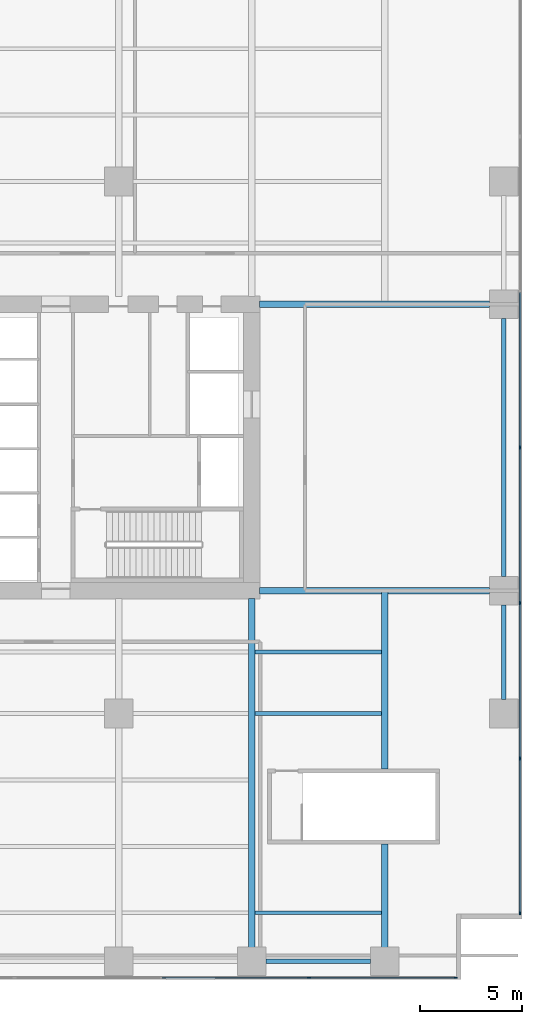
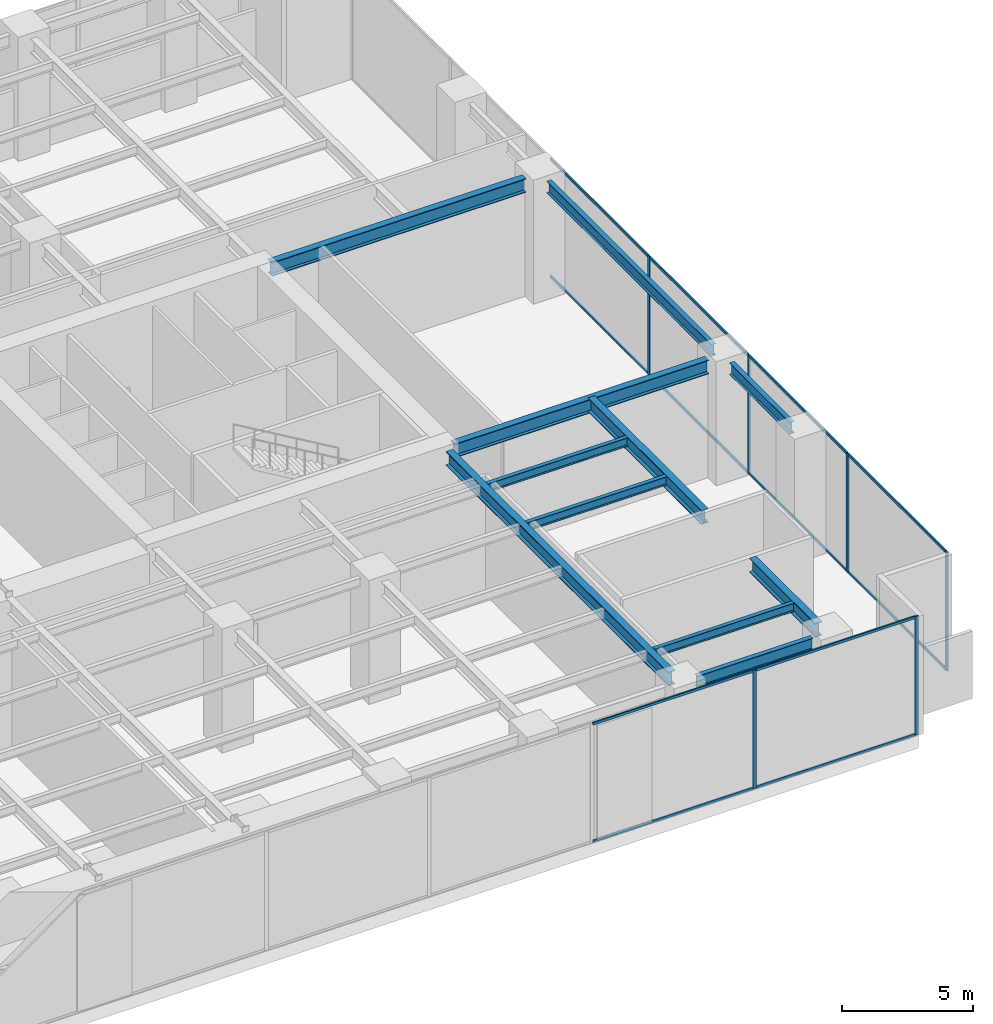
# One storey, part 14 of 25: 18 members, 11 beams, 2 elements without a shape of their own.
"""IFC4 building model written with IfcOpenShell, lengths in metres."""

from ifc_helpers import new_model, si_unit, direction, frame, origin, origin_2d, place, context, subcontext, project, spatial, rectangle, i_section, extrude, material, layer, layer_set, material_profile, profile_set, type_object, element, aggregate, save


model = new_model("IFC4")

# Units and contexts
model_context = context("Model", 3, precision=1e-05, world=origin(), true_north=direction((0.0, 1.0)))
body_context = subcontext(model_context, "Body", "Model", "MODEL_VIEW")
ifc_project = project(units=[si_unit("LENGTHUNIT", "METRE"), si_unit("AREAUNIT", "SQUARE_METRE"), si_unit("VOLUMEUNIT", "CUBIC_METRE"), si_unit("PLANEANGLEUNIT", "RADIAN"), si_unit("MASSUNIT", "GRAM", prefix="KILO")], contexts=[model_context])

# Site, building, storey
site_placement = place(None, origin())
site = spatial("IfcSite", under=ifc_project, at=site_placement, CompositionType="ELEMENT")
building_placement = place(site_placement, origin())
building = spatial("IfcBuilding", under=site, at=building_placement, Name="Putna Gate Headquarters", CompositionType="ELEMENT")
storey_placement = place(building_placement, frame((0.0, 0.0, 22.0)))
storey = spatial("IfcBuildingStorey", under=building, at=storey_placement, Name="L04", CompositionType="ELEMENT", Elevation=22.0)

# Beams
ifc_material_1 = material(Name="Steel S355J2", Category="steel")
ifc_material_profile_1 = material_profile(ifc_material_1, i_section(OverallWidth=0.300048828125, OverallDepth=0.64990234375, WebThickness=0.01611328125, FlangeThickness=0.031005859375, at=origin_2d()), Name="Steel S355J2")
ifc_profile_set_1 = profile_set([ifc_material_profile_1], Name="Steel S355J2")
beam_type_1 = type_object("IfcBeamType", Name="BM-GIRD-Z1-HEB650", PredefinedType="USERDEFINED", material=ifc_profile_set_1)
for number, where, z_axis, x_axis, name in (
    (1, (65.385009765625, 19.0, 5.22509765625), (1.0, 0.0, 0.0), (0.0, 1.0, 0.0), "L04 East Wing Girder Y19"),
    (2, (65.385009765625, 33.0, 5.22509765625), (1.0, 0.0, 0.0), (0.0, 1.0, 0.0), "L04 East Wing Girder Y33"),
):
    element("IfcBeam", number, at=place(storey_placement, frame(where, z_axis=z_axis, x_axis=x_axis)), inside=storey, type_object=beam_type_1, Name=name, ObjectType="GIRDER", PredefinedType="USERDEFINED", context=body_context, shape_type="SweptSolid", body=[
        extrude(i_section(OverallWidth=0.300048828125, OverallDepth=0.64990234375, WebThickness=0.01611328125, FlangeThickness=0.031005859375, at=origin_2d()), origin(), (0.0, 0.0, 1.0), 11.2470703125),
    ])
beam_1_placement = place(storey_placement, frame((65.0, 1.568115234375, 5.22509765625), z_axis=(0.0, 1.0, 0.0), x_axis=(-1.0, 0.0, 0.0)))
element("IfcBeam", 3, at=beam_1_placement, inside=storey, type_object=beam_type_1, Name="L04 South Primary Girder X65", ObjectType="GIRDER", PredefinedType="USERDEFINED", context=body_context, shape_type="SweptSolid", body=[
    extrude(i_section(OverallWidth=0.300048828125, OverallDepth=0.64990234375, WebThickness=0.01611328125, FlangeThickness=0.031005859375, at=origin_2d()), origin(), (0.0, 0.0, 1.0), 17.046875),
])
beam_2_placement = place(storey_placement, frame((71.5, 1.568115234375, 5.22509765625), z_axis=(0.0, 1.0, 0.0), x_axis=(-1.0, 0.0, 0.0)))
element("IfcBeam", 4, at=beam_2_placement, inside=storey, type_object=beam_type_1, Name="L04 South Girder X71-A", ObjectType="GIRDER", PredefinedType="USERDEFINED", context=body_context, shape_type="SweptSolid", body=[
    extrude(i_section(OverallWidth=0.300048828125, OverallDepth=0.64990234375, WebThickness=0.01611328125, FlangeThickness=0.031005859375, at=origin_2d()), origin(), (0.0, 0.0, 1.0), 5.056884765625),
])
beam_3_placement = place(storey_placement, frame((71.5, 10.27490234375, 5.22509765625), z_axis=(0.0, 1.0, 0.0), x_axis=(-1.0, 0.0, 0.0)))
element("IfcBeam", 5, at=beam_3_placement, inside=storey, type_object=beam_type_1, Name="L04 South Girder X71-B", ObjectType="GIRDER", PredefinedType="USERDEFINED", context=body_context, shape_type="SweptSolid", body=[
    extrude(i_section(OverallWidth=0.300048828125, OverallDepth=0.64990234375, WebThickness=0.01611328125, FlangeThickness=0.031005859375, at=origin_2d()), origin(), (0.0, 0.0, 1.0), 8.713134765625),
])
ifc_material_profile_2 = material_profile(ifc_material_1, i_section(OverallWidth=0.179931640625, OverallDepth=0.39990234375, WebThickness=0.008544921875, FlangeThickness=0.013427734375, at=origin_2d()), Name="Steel S355J2")
ifc_profile_set_2 = profile_set([ifc_material_profile_2], Name="Steel S355J2")
beam_type_2 = type_object("IfcBeamType", Name="BM-SEC-Z1-IPE400", PredefinedType="BEAM", material=ifc_profile_set_2)
for number, where, z_axis, x_axis, name in (
    (6, (65.154052734375, 3.25, 5.35009765625), (1.0, 0.0, 0.0), (0.0, 1.0, 0.0), "L04 South Secondary Beam 10"),
    (7, (65.154052734375, 13.0, 5.35009765625), (1.0, 0.0, 0.0), (0.0, 1.0, 0.0), "L04 South Secondary Beam 10"),
    (8, (65.154052734375, 16.0, 5.35009765625), (1.0, 0.0, 0.0), (0.0, 1.0, 0.0), "L04 South Secondary Beam 10"),
):
    element("IfcBeam", number, at=place(storey_placement, frame(where, z_axis=z_axis, x_axis=x_axis)), inside=storey, type_object=beam_type_2, Name=name, PredefinedType="BEAM", context=body_context, shape_type="SweptSolid", body=[
        extrude(i_section(OverallWidth=0.179931640625, OverallDepth=0.39990234375, WebThickness=0.008544921875, FlangeThickness=0.013427734375, at=origin_2d()), origin(), (0.0, 0.0, 1.0), 6.19189453125),
    ])
ifc_material_profile_3 = material_profile(ifc_material_1, i_section(OverallWidth=0.2099609375, OverallDepth=0.550048828125, WebThickness=0.010986328125, FlangeThickness=0.01708984375, at=origin_2d()), Name="Steel S355J2")
ifc_profile_set_3 = profile_set([ifc_material_profile_3], Name="Steel S355J2")
beam_type_3 = type_object("IfcBeamType", Name="BM-SPAN-Z1-IPE550", PredefinedType="SPANDREL", material=ifc_profile_set_3)
beam_4_placement = place(storey_placement, frame((65.68798828125, 0.8798828125, 5.27490234375), z_axis=(1.0, 0.0, 0.0), x_axis=(0.0, 1.0, 0.0)))
element("IfcBeam", 9, at=beam_4_placement, inside=storey, type_object=beam_type_3, Name="L04 S Perimeter Spandrel 10", PredefinedType="SPANDREL", context=body_context, shape_type="SweptSolid", body=[
    extrude(i_section(OverallWidth=0.2099609375, OverallDepth=0.550048828125, WebThickness=0.010986328125, FlangeThickness=0.01708984375, at=origin_2d()), origin(), (0.0, 0.0, 1.0), 5.1240234375),
])
beam_5_placement = place(storey_placement, frame((77.320068359375, 13.68798828125, 5.27490234375), z_axis=(0.0, 1.0, 0.0), x_axis=(-1.0, 0.0, 0.0)))
element("IfcBeam", 10, at=beam_5_placement, inside=storey, type_object=beam_type_3, Name="L04 E End Spandrel 1", PredefinedType="SPANDREL", context=body_context, shape_type="SweptSolid", body=[
    extrude(i_section(OverallWidth=0.2099609375, OverallDepth=0.550048828125, WebThickness=0.010986328125, FlangeThickness=0.01708984375, at=origin_2d()), origin(), (0.0, 0.0, 1.0), 4.6240234375),
])
beam_6_placement = place(storey_placement, frame((77.320068359375, 19.68798828125, 5.27490234375), z_axis=(0.0, 1.0, 0.0), x_axis=(-1.0, 0.0, 0.0)))
element("IfcBeam", 11, at=beam_6_placement, inside=storey, type_object=beam_type_3, Name="L04 E End Spandrel 2", PredefinedType="SPANDREL", context=body_context, shape_type="SweptSolid", body=[
    extrude(i_section(OverallWidth=0.2099609375, OverallDepth=0.550048828125, WebThickness=0.010986328125, FlangeThickness=0.01708984375, at=origin_2d()), origin(), (0.0, 0.0, 1.0), 12.6240234375),
])

# Curtain wall, members
ifc_material_2 = material(Name="Anodised bronze aluminium curtain wall", Category="aluminium")
ifc_layer = layer(ifc_material_2, 0.159912109375)
ifc_layer_set = layer_set([ifc_layer], Name="Anodised bronze aluminium curtain wall")
curtain_wall_type = type_object("IfcCurtainWallType", Name="CW-SYS-CRN", PredefinedType="USERDEFINED", material=ifc_layer_set)
curtain_wall_1_placement = place(storey_placement, origin())
curtain_wall_1 = element("IfcCurtainWall", 12, at=curtain_wall_1_placement, inside=storey, type_object=curtain_wall_type, Name="L04 Acoustic Louvre South Enclosure", ObjectType="STICK CURTAIN WALL", PredefinedType="USERDEFINED")
ifc_material_3 = material(Name="Anodised bronze aluminium EN AW-6060", Category="aluminium")
ifc_material_profile_4 = material_profile(ifc_material_3, rectangle(XDim=0.06494140625, YDim=0.159912109375, at=origin_2d()), Name="Anodised bronze aluminium EN AW-6060")
ifc_profile_set_4 = profile_set([ifc_material_profile_4], Name="Anodised bronze aluminium EN AW-6060")
member_type_1 = type_object("IfcMemberType", Name="MULL-CWM-CR", PredefinedType="MULLION", material=ifc_profile_set_4)
member_1_placement = place(storey_placement, frame((67.800048828125, 0.080078125, 0.0), z_axis=(0.0, 0.0, 1.0), x_axis=(0.0, 1.0, 0.0)))
member_1 = element("IfcMember", 13, at=member_1_placement, type_object=member_type_1, Name="CWS-CR mullion 10", PredefinedType="MULLION", context=body_context, shape_type="SweptSolid", body=[
    extrude(rectangle(XDim=0.06494140625, YDim=0.159912109375, at=origin_2d()), origin(), (0.0, 0.0, 1.0), 5.550048828125),
])
member_2_placement = place(storey_placement, frame((74.967529296875, 0.080078125, 0.0), z_axis=(0.0, 0.0, 1.0), x_axis=(0.0, 1.0, 0.0)))
member_2 = element("IfcMember", 14, at=member_2_placement, type_object=member_type_1, Name="CWS-CR mullion 11", PredefinedType="MULLION", context=body_context, shape_type="SweptSolid", body=[
    extrude(rectangle(XDim=0.06494140625, YDim=0.159912109375, at=origin_2d()), origin(), (0.0, 0.0, 1.0), 5.550048828125),
])

curtain_wall_2_placement = place(storey_placement, origin())
curtain_wall_2 = element("IfcCurtainWall", 15, at=curtain_wall_2_placement, inside=storey, type_object=curtain_wall_type, Name="L04 Acoustic Louvre East Enclosure", ObjectType="STICK CURTAIN WALL", PredefinedType="USERDEFINED")
member_3_placement = place(storey_placement, frame((78.1201171875, 3.232421875, 0.0), z_axis=(0.0, 0.0, 1.0), x_axis=(-1.0, 0.0, 0.0)))
member_3 = element("IfcMember", 16, at=member_3_placement, type_object=member_type_1, Name="CWS-CR mullion 1", PredefinedType="MULLION", context=body_context, shape_type="SweptSolid", body=[
    extrude(rectangle(XDim=0.06494140625, YDim=0.159912109375, at=origin_2d()), origin(), (0.0, 0.0, 1.0), 5.550048828125),
])
member_4_placement = place(storey_placement, frame((78.1201171875, 10.800048828125, 0.0), z_axis=(0.0, 0.0, 1.0), x_axis=(-1.0, 0.0, 0.0)))
member_4 = element("IfcMember", 17, at=member_4_placement, type_object=member_type_1, Name="CWS-CR mullion 2", PredefinedType="MULLION", context=body_context, shape_type="SweptSolid", body=[
    extrude(rectangle(XDim=0.06494140625, YDim=0.159912109375, at=origin_2d()), origin(), (0.0, 0.0, 1.0), 5.550048828125),
])
member_5_placement = place(storey_placement, frame((78.1201171875, 18.39990234375, 0.0), z_axis=(0.0, 0.0, 1.0), x_axis=(-1.0, 0.0, 0.0)))
member_5 = element("IfcMember", 18, at=member_5_placement, type_object=member_type_1, Name="CWS-CR mullion 3", PredefinedType="MULLION", context=body_context, shape_type="SweptSolid", body=[
    extrude(rectangle(XDim=0.06494140625, YDim=0.159912109375, at=origin_2d()), origin(), (0.0, 0.0, 1.0), 5.550048828125),
])
member_6_placement = place(storey_placement, frame((78.1201171875, 26.0, 0.0), z_axis=(0.0, 0.0, 1.0), x_axis=(-1.0, 0.0, 0.0)))
member_6 = element("IfcMember", 19, at=member_6_placement, type_object=member_type_1, Name="CWS-CR mullion 4", PredefinedType="MULLION", context=body_context, shape_type="SweptSolid", body=[
    extrude(rectangle(XDim=0.06494140625, YDim=0.159912109375, at=origin_2d()), origin(), (0.0, 0.0, 1.0), 5.550048828125),
])

# Member
ifc_material_profile_5 = material_profile(ifc_material_3, rectangle(XDim=0.06494140625, YDim=0.1201171875, at=origin_2d()), Name="Anodised bronze aluminium EN AW-6060")
ifc_profile_set_5 = profile_set([ifc_material_profile_5], Name="Anodised bronze aluminium EN AW-6060")
member_type_2 = type_object("IfcMemberType", Name="TRAN-CWT-CR", PredefinedType="USERDEFINED", material=ifc_profile_set_5)
member_7_placement = place(storey_placement, frame((60.632568359375, 0.080078125, 0.032470703125), z_axis=(1.0, 0.0, 0.0), x_axis=(0.0, 1.0, 0.0)))
member_7 = element("IfcMember", 20, at=member_7_placement, type_object=member_type_2, Name="CWS-CR transom 9.1", ObjectType="TRANSOM", PredefinedType="USERDEFINED", context=body_context, shape_type="SweptSolid", body=[
    extrude(rectangle(XDim=0.06494140625, YDim=0.1201171875, at=origin_2d()), origin(), (0.0, 0.0, 1.0), 7.135009765625),
])

member_8_placement = place(storey_placement, frame((60.632568359375, 0.080078125, 5.517578125), z_axis=(1.0, 0.0, 0.0), x_axis=(0.0, 1.0, 0.0)))
member_8 = element("IfcMember", 21, at=member_8_placement, type_object=member_type_2, Name="CWS-CR transom 9.2", ObjectType="TRANSOM", PredefinedType="USERDEFINED", context=body_context, shape_type="SweptSolid", body=[
    extrude(rectangle(XDim=0.06494140625, YDim=0.1201171875, at=origin_2d()), origin(), (0.0, 0.0, 1.0), 7.135009765625),
])

member_9_placement = place(storey_placement, frame((67.83251953125, 0.080078125, 0.032470703125), z_axis=(1.0, 0.0, 0.0), x_axis=(0.0, 1.0, 0.0)))
member_9 = element("IfcMember", 22, at=member_9_placement, type_object=member_type_2, Name="CWS-CR transom 10.1", ObjectType="TRANSOM", PredefinedType="USERDEFINED", context=body_context, shape_type="SweptSolid", body=[
    extrude(rectangle(XDim=0.06494140625, YDim=0.1201171875, at=origin_2d()), origin(), (0.0, 0.0, 1.0), 7.1025390625),
])

member_10_placement = place(storey_placement, frame((67.83251953125, 0.080078125, 5.517578125), z_axis=(1.0, 0.0, 0.0), x_axis=(0.0, 1.0, 0.0)))
member_10 = element("IfcMember", 23, at=member_10_placement, type_object=member_type_2, Name="CWS-CR transom 10.2", ObjectType="TRANSOM", PredefinedType="USERDEFINED", context=body_context, shape_type="SweptSolid", body=[
    extrude(rectangle(XDim=0.06494140625, YDim=0.1201171875, at=origin_2d()), origin(), (0.0, 0.0, 1.0), 7.1025390625),
])

aggregate(curtain_wall_1, [member_1, member_2, member_7, member_8, member_9, member_10])

member_11_placement = place(storey_placement, frame((78.1201171875, 3.264892578125, 0.032470703125), z_axis=(0.0, 1.0, 0.0), x_axis=(-1.0, 0.0, 0.0)))
member_11 = element("IfcMember", 24, at=member_11_placement, type_object=member_type_2, Name="CWS-CR transom 1.1", ObjectType="TRANSOM", PredefinedType="USERDEFINED", context=body_context, shape_type="SweptSolid", body=[
    extrude(rectangle(XDim=0.06494140625, YDim=0.1201171875, at=origin_2d()), origin(), (0.0, 0.0, 1.0), 7.502685546875),
])

member_12_placement = place(storey_placement, frame((78.1201171875, 3.264892578125, 5.517578125), z_axis=(0.0, 1.0, 0.0), x_axis=(-1.0, 0.0, 0.0)))
member_12 = element("IfcMember", 25, at=member_12_placement, type_object=member_type_2, Name="CWS-CR transom 1.2", ObjectType="TRANSOM", PredefinedType="USERDEFINED", context=body_context, shape_type="SweptSolid", body=[
    extrude(rectangle(XDim=0.06494140625, YDim=0.1201171875, at=origin_2d()), origin(), (0.0, 0.0, 1.0), 7.502685546875),
])

member_13_placement = place(storey_placement, frame((78.1201171875, 10.83251953125, 0.032470703125), z_axis=(0.0, 1.0, 0.0), x_axis=(-1.0, 0.0, 0.0)))
member_13 = element("IfcMember", 26, at=member_13_placement, type_object=member_type_2, Name="CWS-CR transom 2.1", ObjectType="TRANSOM", PredefinedType="USERDEFINED", context=body_context, shape_type="SweptSolid", body=[
    extrude(rectangle(XDim=0.06494140625, YDim=0.1201171875, at=origin_2d()), origin(), (0.0, 0.0, 1.0), 7.534912109375),
])

member_14_placement = place(storey_placement, frame((78.1201171875, 10.83251953125, 5.517578125), z_axis=(0.0, 1.0, 0.0), x_axis=(-1.0, 0.0, 0.0)))
member_14 = element("IfcMember", 27, at=member_14_placement, type_object=member_type_2, Name="CWS-CR transom 2.2", ObjectType="TRANSOM", PredefinedType="USERDEFINED", context=body_context, shape_type="SweptSolid", body=[
    extrude(rectangle(XDim=0.06494140625, YDim=0.1201171875, at=origin_2d()), origin(), (0.0, 0.0, 1.0), 7.534912109375),
])

member_15_placement = place(storey_placement, frame((78.1201171875, 18.4326171875, 0.032470703125), z_axis=(0.0, 1.0, 0.0), x_axis=(-1.0, 0.0, 0.0)))
member_15 = element("IfcMember", 28, at=member_15_placement, type_object=member_type_2, Name="CWS-CR transom 3.1", ObjectType="TRANSOM", PredefinedType="USERDEFINED", context=body_context, shape_type="SweptSolid", body=[
    extrude(rectangle(XDim=0.06494140625, YDim=0.1201171875, at=origin_2d()), origin(), (0.0, 0.0, 1.0), 7.534912109375),
])

member_16_placement = place(storey_placement, frame((78.1201171875, 18.4326171875, 5.517578125), z_axis=(0.0, 1.0, 0.0), x_axis=(-1.0, 0.0, 0.0)))
member_16 = element("IfcMember", 29, at=member_16_placement, type_object=member_type_2, Name="CWS-CR transom 3.2", ObjectType="TRANSOM", PredefinedType="USERDEFINED", context=body_context, shape_type="SweptSolid", body=[
    extrude(rectangle(XDim=0.06494140625, YDim=0.1201171875, at=origin_2d()), origin(), (0.0, 0.0, 1.0), 7.534912109375),
])

member_17_placement = place(storey_placement, frame((78.1201171875, 26.032470703125, 0.032470703125), z_axis=(0.0, 1.0, 0.0), x_axis=(-1.0, 0.0, 0.0)))
member_17 = element("IfcMember", 30, at=member_17_placement, type_object=member_type_2, Name="CWS-CR transom 4.1", ObjectType="TRANSOM", PredefinedType="USERDEFINED", context=body_context, shape_type="SweptSolid", body=[
    extrude(rectangle(XDim=0.06494140625, YDim=0.1201171875, at=origin_2d()), origin(), (0.0, 0.0, 1.0), 7.534912109375),
])

member_18_placement = place(storey_placement, frame((78.1201171875, 26.032470703125, 5.517578125), z_axis=(0.0, 1.0, 0.0), x_axis=(-1.0, 0.0, 0.0)))
member_18 = element("IfcMember", 31, at=member_18_placement, type_object=member_type_2, Name="CWS-CR transom 4.2", ObjectType="TRANSOM", PredefinedType="USERDEFINED", context=body_context, shape_type="SweptSolid", body=[
    extrude(rectangle(XDim=0.06494140625, YDim=0.1201171875, at=origin_2d()), origin(), (0.0, 0.0, 1.0), 7.534912109375),
])

aggregate(curtain_wall_2, [member_3, member_4, member_5, member_6, member_11, member_12, member_13, member_14, member_15, member_16, member_17, member_18])

save(model, "model.ifc")
